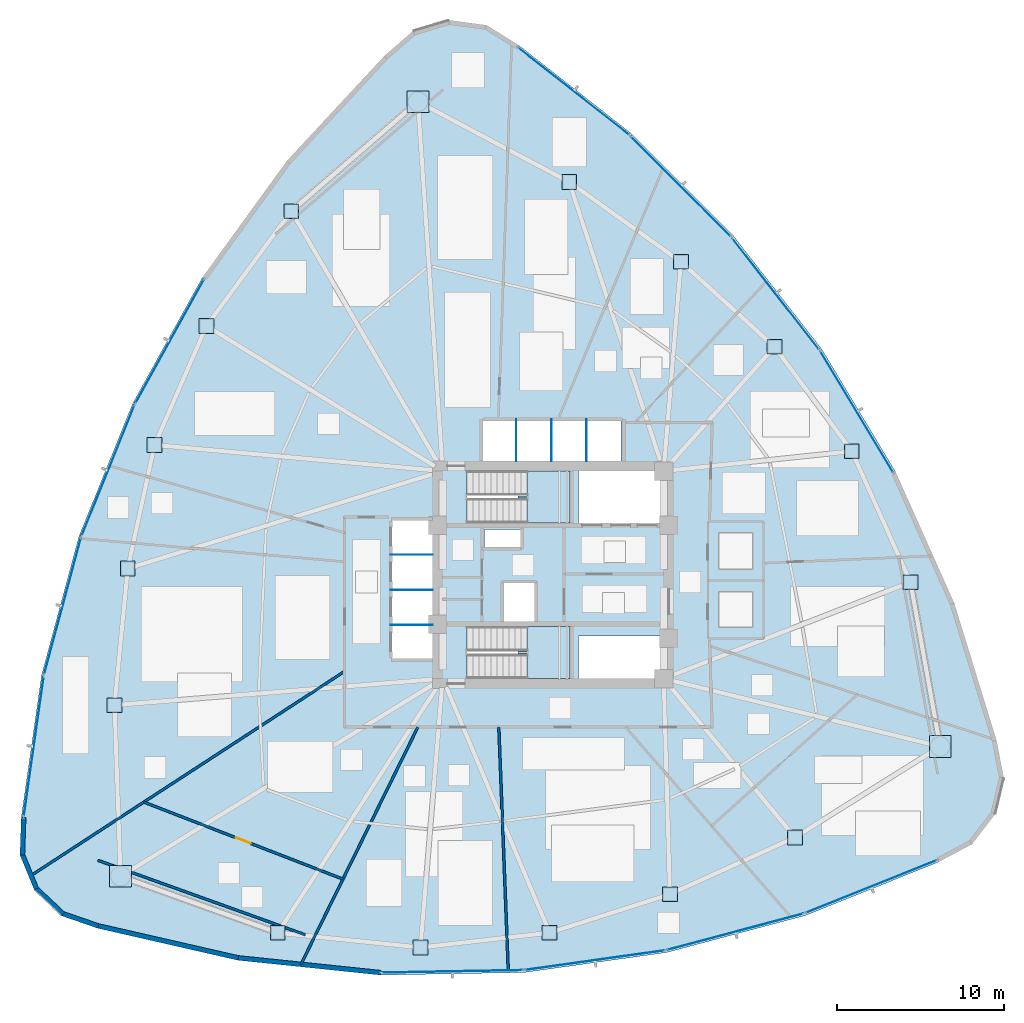
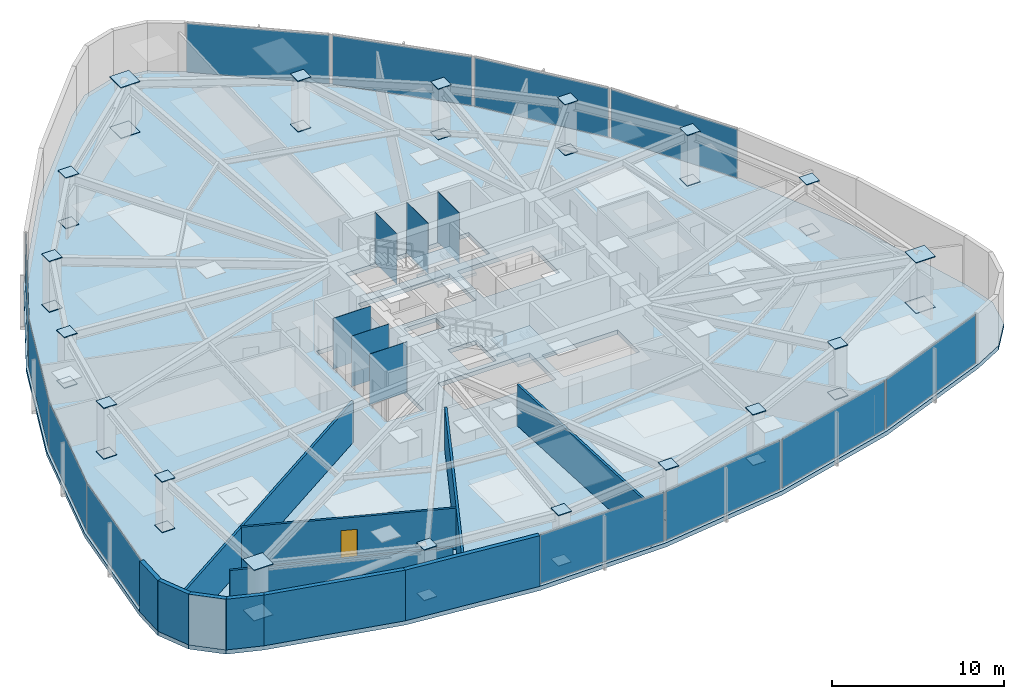
# One storey, part 10 of 17: 54 plates, 11 walls, 3 slabs, 1 door, 1 opening, 14 elements without a shape of their own.
"""IFC4 building model written with IfcOpenShell, lengths in metres."""

from ifc_helpers import new_model, si_unit, direction, frame, frame_2d, origin, origin_2d, place, context, subcontext, project, spatial, polyline, rectangle, outline, extrude, source, transform, mapped, material, layer, layer_set, type_object, type_shapes, element, fill, aggregate, save


model = new_model("IFC4")

# Units and contexts
model_context = context("Model", 3, precision=1e-05, world=origin(), true_north=direction((0.0, 1.0)))
body_context = subcontext(model_context, "Body", "Model", "MODEL_VIEW")
ifc_project = project(units=[si_unit("LENGTHUNIT", "METRE"), si_unit("AREAUNIT", "SQUARE_METRE"), si_unit("VOLUMEUNIT", "CUBIC_METRE"), si_unit("PLANEANGLEUNIT", "RADIAN"), si_unit("MASSUNIT", "GRAM", prefix="KILO")], contexts=[model_context])

# Site, building, storey
site_placement = place(None, origin())
site = spatial("IfcSite", under=ifc_project, at=site_placement, CompositionType="ELEMENT")
building_placement = place(site_placement, origin())
building = spatial("IfcBuilding", under=site, at=building_placement, Name="Tavelor Broadcast Tower", CompositionType="ELEMENT")
storey_placement = place(building_placement, frame((0.0, 0.0, 43.199951171875)))
storey = spatial("IfcBuildingStorey", under=building, at=storey_placement, Name="L09", CompositionType="ELEMENT", Elevation=43.199951171875)

# Stair, slab
ifc_material_1 = material(Name="Concrete C40/50", Category="concrete")
stair_type = type_object("IfcStairType", Name="Reinforced Concrete Protected Dogleg Stair 1450 mm", PredefinedType="HALF_TURN_STAIR", material=ifc_material_1)
stair_1_placement = place(storey_placement, origin())
stair_1 = element("IfcStair", 1, at=stair_1_placement, inside=storey, type_object=stair_type, Name="L09 Protected Core Exit Stair ST1", PredefinedType="HALF_TURN_STAIR")
ifc_layer_1 = layer(ifc_material_1, 0.199951171875)
ifc_layer_set_1 = layer_set([ifc_layer_1], Name="Concrete C40/50")
slab_type_1 = type_object("IfcSlabType", Name="Reinforced Concrete Stair Half-Landing Slab 200 mm", PredefinedType="LANDING", material=ifc_layer_set_1)
slab_1_placement = place(storey_placement, frame((0.0, 0.0, 1.75)))
slab_1 = element("IfcSlab", 2, at=slab_1_placement, type_object=slab_type_1, Name="ST1 landing 1", PredefinedType="LANDING", context=body_context, shape_type="SweptSolid", body=[
    extrude(outline(polyline([(48.445068359375, 49.590087890625), (48.445068359375, 48.094970703125), (51.0048828125, 48.094970703125), (51.0048828125, 51.205078125), (48.445068359375, 51.205078125), (48.445068359375, 49.7099609375), (47.905029296875, 49.7099609375), (47.905029296875, 49.590087890625), (48.445068359375, 49.590087890625)])), origin(), (0.0, 0.0, 1.0), 0.199951171875),
])
aggregate(stair_1, [slab_1])

stair_2_placement = place(storey_placement, origin())
stair_2 = element("IfcStair", 3, at=stair_2_placement, inside=storey, type_object=stair_type, Name="L09 Protected Core Exit Stair ST2", PredefinedType="HALF_TURN_STAIR")
slab_2_placement = place(storey_placement, frame((0.0, 0.0, 1.75)))
slab_2 = element("IfcSlab", 4, at=slab_2_placement, type_object=slab_type_1, Name="ST2 landing 1", PredefinedType="LANDING", context=body_context, shape_type="SweptSolid", body=[
    extrude(outline(polyline([(48.445068359375, 40.2900390625), (48.445068359375, 38.794921875), (51.0048828125, 38.794921875), (51.0048828125, 41.905029296875), (48.445068359375, 41.905029296875), (48.445068359375, 40.409912109375), (47.905029296875, 40.409912109375), (47.905029296875, 40.2900390625), (48.445068359375, 40.2900390625)])), origin(), (0.0, 0.0, 1.0), 0.199951171875),
])
aggregate(stair_2, [slab_2])

# Slab
ifc_layer_2 = layer(ifc_material_1, 0.300048828125)
ifc_layer_set_2 = layer_set([ifc_layer_2], Name="Concrete C40/50")
slab_type_2 = type_object("IfcSlabType", Name="Tower Composite Floor Slab 300 mm", PredefinedType="FLOOR", material=ifc_layer_set_2)
slab_3_placement = place(storey_placement, frame((0.0, 0.0, -0.300048828125)))
element("IfcSlab", 5, at=slab_3_placement, inside=storey, type_object=slab_type_2, Name="L09 Structural Floor Slab", PredefinedType="FLOOR", context=body_context, shape_type="SweptSolid", body=[
    extrude(outline(polyline([(47.941162109375, 76.641357421875), (46.02734375, 77.834716796875), (43.792236328125, 78.135009765625), (41.631591796875, 77.48876953125), (39.927978515625, 76.0107421875), (34.087158203125, 69.719970703125), (29.050537109375, 62.7685546875), (24.89208984375, 55.2587890625), (21.6728515625, 47.301025390625), (19.440185546875, 39.01220703125), (18.227294921875, 30.513916015625), (18.150390625, 28.260009765625), (19.008056640625, 26.174072265625), (20.648193359375, 24.6259765625), (22.77978515625, 23.889892578125), (31.148193359375, 21.976806640625), (39.686767578125, 21.090576171875), (48.26953125, 21.244140625), (56.77099609375, 22.43505859375), (65.065673828125, 24.646240234375), (73.03173828125, 27.8447265625), (75.022216796875, 28.9052734375), (76.399658203125, 30.69091796875), (76.92041015625, 32.88525390625), (76.491943359375, 35.099609375), (73.964599609375, 43.30322265625), (70.462890625, 51.140869140625), (66.038330078125, 58.4970703125), (60.75634765625, 65.263916015625), (54.694091796875, 71.341796875), (47.941162109375, 76.641357421875)]), holes=[polyline([(56.60009765625, 38.800048828125), (51.52001953125, 38.800048828125), (51.52001953125, 41.35009765625), (56.60009765625, 41.35009765625), (56.60009765625, 38.800048828125)]), polyline([(50.99609375, 38.803955078125), (44.85400390625, 38.803955078125), (44.85400390625, 41.89599609375), (50.99609375, 41.89599609375), (50.99609375, 38.803955078125)]), polyline([(47.050048828125, 42.199951171875), (47.050048828125, 44.550048828125), (48.949951171875, 44.550048828125), (48.949951171875, 42.199951171875), (47.050048828125, 42.199951171875)]), polyline([(40.35009765625, 40.0), (40.35009765625, 48.25), (42.800048828125, 48.25), (42.800048828125, 40.0), (40.35009765625, 40.0)]), polyline([(48.050048828125, 46.64990234375), (45.89990234375, 46.64990234375), (45.89990234375, 47.699951171875), (48.050048828125, 47.699951171875), (48.050048828125, 46.64990234375)]), polyline([(50.99609375, 48.10400390625), (44.85400390625, 48.10400390625), (44.85400390625, 51.196044921875), (50.99609375, 51.196044921875), (50.99609375, 48.10400390625)]), polyline([(56.60009765625, 48.10009765625), (51.52001953125, 48.10009765625), (51.52001953125, 51.199951171875), (56.60009765625, 51.199951171875), (56.60009765625, 48.10009765625)]), polyline([(54.050048828125, 51.800048828125), (45.800048828125, 51.800048828125), (45.800048828125, 54.25), (54.050048828125, 54.25), (54.050048828125, 51.800048828125)])]), origin(), (0.0, 0.0, 1.0), 0.300048828125),
])

# Plates
ifc_material_2 = material(Name="Steel S460", Category="steel")
ifc_layer_3 = layer(ifc_material_2, 0.050048828125)
ifc_layer_set_3 = layer_set([ifc_layer_3], Name="Steel S460")
plate_type_1 = type_object("IfcPlateType", Name="Tube Hollow-End Cap Plate KN05 700x700x50", PredefinedType="USERDEFINED", material=ifc_layer_set_3)
shared_shape_1 = source(origin(), body_context, "Body", "SweptSolid", [
    extrude(rectangle(XDim=1.299072265625, YDim=1.299072265625, at=origin_2d()), origin(), (0.0, 0.0, 1.0), 0.054931640625),
])
for number, where, z_axis, x_axis, name in (
    (6, (41.923095703125, 73.266357421875, -0.02734375), (0.0, 0.0, 1.0), (1.0, 0.0, 0.0), "L09 Hollow End Cap Plate KN05 #310"),
    (7, (41.923095703125, 73.266357421875, 3.57275390625), (0.0, 0.0, 1.0), (1.0, 0.0, 0.0), "L09 Hollow End Cap Plate KN05 #311"),
    (8, (24.1591796875, 26.98974609375, -0.02734375), (0.0, 0.0, 1.0), (1.0, 0.0, 0.0), "L09 Hollow End Cap Plate KN05 #322"),
    (9, (24.1591796875, 26.98974609375, 3.57275390625), (0.0, 0.0, 1.0), (1.0, 0.0, 0.0), "L09 Hollow End Cap Plate KN05 #323"),
    (10, (73.117919921875, 34.743896484375, -0.02734375), (0.0, 0.0, 1.0), (1.0, 0.0, 0.0), "L09 Hollow End Cap Plate KN05 #334"),
    (11, (73.117919921875, 34.743896484375, 3.57275390625), (0.0, 0.0, 1.0), (1.0, 0.0, 0.0), "L09 Hollow End Cap Plate KN05 #335"),
):
    element("IfcPlate", number, at=place(storey_placement, frame(where, z_axis=z_axis, x_axis=x_axis)), inside=storey, type_object=plate_type_1, Name=name, ObjectType="CAP PLATE", PredefinedType="USERDEFINED", context=body_context, shape_type="MappedRepresentation", body=[
        mapped(shared_shape_1, transform((0.0, 0.0, 0.0), scale=1.0)),
    ])
shared_shape_2 = source(origin(), body_context, "Body", "SweptSolid", [
    extrude(rectangle(XDim=0.8798828125, YDim=0.8798828125, at=origin_2d()), origin(), (0.0, 0.0, 1.0), 0.054931640625),
])
type_shapes(plate_type_1, [shared_shape_1, shared_shape_2])
for number, where, z_axis, x_axis, name in (
    (12, (34.356201171875, 66.727783203125, -0.02734375), (0.0, 0.0, 1.0), (1.0, 0.0, 0.0), "L09 Hollow End Cap Plate KN05 #312"),
    (13, (34.356201171875, 66.727783203125, 3.57275390625), (0.0, 0.0, 1.0), (1.0, 0.0, 0.0), "L09 Hollow End Cap Plate KN05 #313"),
    (14, (29.292236328125, 59.87158203125, -0.02734375), (0.0, 0.0, 1.0), (1.0, 0.0, 0.0), "L09 Hollow End Cap Plate KN05 #314"),
    (15, (29.292236328125, 59.87158203125, 3.57275390625), (0.0, 0.0, 1.0), (1.0, 0.0, 0.0), "L09 Hollow End Cap Plate KN05 #315"),
    (16, (26.189208984375, 52.75830078125, -0.02734375), (0.0, 0.0, 1.0), (1.0, 0.0, 0.0), "L09 Hollow End Cap Plate KN05 #316"),
    (17, (26.189208984375, 52.75830078125, 3.57275390625), (0.0, 0.0, 1.0), (1.0, 0.0, 0.0), "L09 Hollow End Cap Plate KN05 #317"),
    (18, (24.58984375, 45.380615234375, -0.02734375), (0.0, 0.0, 1.0), (1.0, 0.0, 0.0), "L09 Hollow End Cap Plate KN05 #318"),
    (19, (24.58984375, 45.380615234375, 3.57275390625), (0.0, 0.0, 1.0), (1.0, 0.0, 0.0), "L09 Hollow End Cap Plate KN05 #319"),
    (20, (23.794677734375, 37.21630859375, -0.02734375), (0.0, 0.0, 1.0), (1.0, 0.0, 0.0), "L09 Hollow End Cap Plate KN05 #320"),
    (21, (23.794677734375, 37.21630859375, 3.57275390625), (0.0, 0.0, 1.0), (1.0, 0.0, 0.0), "L09 Hollow End Cap Plate KN05 #321"),
    (22, (33.55078125, 23.615478515625, -0.02734375), (0.0, 0.0, 1.0), (1.0, 0.0, 0.0), "L09 Hollow End Cap Plate KN05 #324"),
    (23, (33.55078125, 23.615478515625, 3.57275390625), (0.0, 0.0, 1.0), (1.0, 0.0, 0.0), "L09 Hollow End Cap Plate KN05 #325"),
    (24, (42.0732421875, 22.740478515625, -0.02734375), (0.0, 0.0, 1.0), (1.0, 0.0, 0.0), "L09 Hollow End Cap Plate KN05 #326"),
    (25, (42.0732421875, 22.740478515625, 3.57275390625), (0.0, 0.0, 1.0), (1.0, 0.0, 0.0), "L09 Hollow End Cap Plate KN05 #327"),
    (26, (49.78662109375, 23.617919921875, -0.02734375), (0.0, 0.0, 1.0), (1.0, 0.0, 0.0), "L09 Hollow End Cap Plate KN05 #328"),
    (27, (49.78662109375, 23.617919921875, 3.57275390625), (0.0, 0.0, 1.0), (1.0, 0.0, 0.0), "L09 Hollow End Cap Plate KN05 #329"),
    (28, (56.975341796875, 25.92138671875, -0.02734375), (0.0, 0.0, 1.0), (1.0, 0.0, 0.0), "L09 Hollow End Cap Plate KN05 #330"),
    (29, (56.975341796875, 25.92138671875, 3.57275390625), (0.0, 0.0, 1.0), (1.0, 0.0, 0.0), "L09 Hollow End Cap Plate KN05 #331"),
    (30, (64.443603515625, 29.31494140625, -0.02734375), (0.0, 0.0, 1.0), (1.0, 0.0, 0.0), "L09 Hollow End Cap Plate KN05 #332"),
    (31, (64.443603515625, 29.31494140625, 3.57275390625), (0.0, 0.0, 1.0), (1.0, 0.0, 0.0), "L09 Hollow End Cap Plate KN05 #333"),
    (32, (71.343994140625, 44.564697265625, -0.02734375), (0.0, 0.0, 1.0), (1.0, 0.0, 0.0), "L09 Hollow End Cap Plate KN05 #336"),
    (33, (71.343994140625, 44.564697265625, 3.57275390625), (0.0, 0.0, 1.0), (1.0, 0.0, 0.0), "L09 Hollow End Cap Plate KN05 #337"),
    (34, (67.8408203125, 52.382568359375, -0.02734375), (0.0, 0.0, 1.0), (1.0, 0.0, 0.0), "L09 Hollow End Cap Plate KN05 #338"),
    (35, (67.8408203125, 52.382568359375, 3.57275390625), (0.0, 0.0, 1.0), (1.0, 0.0, 0.0), "L09 Hollow End Cap Plate KN05 #339"),
    (36, (63.22412109375, 58.623779296875, -0.02734375), (0.0, 0.0, 1.0), (1.0, 0.0, 0.0), "L09 Hollow End Cap Plate KN05 #340"),
    (37, (63.22412109375, 58.623779296875, 3.57275390625), (0.0, 0.0, 1.0), (1.0, 0.0, 0.0), "L09 Hollow End Cap Plate KN05 #341"),
    (38, (57.634765625, 63.69775390625, -0.02734375), (0.0, 0.0, 1.0), (1.0, 0.0, 0.0), "L09 Hollow End Cap Plate KN05 #342"),
    (39, (57.634765625, 63.69775390625, 3.57275390625), (0.0, 0.0, 1.0), (1.0, 0.0, 0.0), "L09 Hollow End Cap Plate KN05 #343"),
    (40, (50.9619140625, 68.468505859375, -0.02734375), (0.0, 0.0, 1.0), (1.0, 0.0, 0.0), "L09 Hollow End Cap Plate KN05 #344"),
    (41, (50.9619140625, 68.468505859375, 3.57275390625), (0.0, 0.0, 1.0), (1.0, 0.0, 0.0), "L09 Hollow End Cap Plate KN05 #345"),
):
    element("IfcPlate", number, at=place(storey_placement, frame(where, z_axis=z_axis, x_axis=x_axis)), inside=storey, type_object=plate_type_1, Name=name, ObjectType="CAP PLATE", PredefinedType="USERDEFINED", context=body_context, shape_type="MappedRepresentation", body=[
        mapped(shared_shape_2, transform((0.0, 0.0, 0.0), scale=1.0)),
    ])
ifc_material_3 = material(Name="Steel S355", Category="steel")
ifc_layer_4 = layer(ifc_material_3, 0.011962890625)
ifc_layer_set_4 = layer_set([ifc_layer_4], Name="Steel S355")
plate_type_2 = type_object("IfcPlateType", Name="Hoistway Steel Separator Screen 12 mm", PredefinedType="SHEET", material=ifc_layer_set_4)
shared_shape_3 = source(origin(), body_context, "Body", "SweptSolid", [
    extrude(rectangle(XDim=2.52001953125, YDim=0.02001953125, at=origin_2d()), origin(), (0.0, 0.0, 1.0), 3.60009765625),
])
for number, where, z_axis, x_axis, name in (
    (42, (41.56005859375, 42.0, 0.0), (0.0, 0.0, 1.0), (1.0, 0.0, 0.0), "L09 Low-Rise Hoistway Separator Screen 1"),
    (43, (41.56005859375, 44.10009765625, 0.0), (0.0, 0.0, 1.0), (1.0, 0.0, 0.0), "L09 Low-Rise Hoistway Separator Screen 2"),
    (44, (41.56005859375, 46.199951171875, 0.0), (0.0, 0.0, 1.0), (1.0, 0.0, 0.0), "L09 Low-Rise Hoistway Separator Screen 3"),
):
    element("IfcPlate", number, at=place(storey_placement, frame(where, z_axis=z_axis, x_axis=x_axis)), inside=storey, type_object=plate_type_2, Name=name, PredefinedType="SHEET", context=body_context, shape_type="MappedRepresentation", body=[
        mapped(shared_shape_3, transform((0.0, 0.0, 0.0), scale=1.0)),
    ])
shared_shape_4 = source(origin(), body_context, "Body", "SweptSolid", [
    extrude(rectangle(XDim=0.02001953125, YDim=2.52001953125, at=origin_2d()), origin(), (0.0, 0.0, 1.0), 3.60009765625),
])
type_shapes(plate_type_2, [shared_shape_3, shared_shape_4])
for number, where, z_axis, x_axis, name in (
    (45, (47.800048828125, 53.0400390625, 0.0), (0.0, 0.0, 1.0), (1.0, 0.0, 0.0), "L09 High-Rise Hoistway Separator Screen 1"),
    (46, (49.89990234375, 53.0400390625, 0.0), (0.0, 0.0, 1.0), (1.0, 0.0, 0.0), "L09 High-Rise Hoistway Separator Screen 2"),
    (47, (52.0, 53.0400390625, 0.0), (0.0, 0.0, 1.0), (1.0, 0.0, 0.0), "L09 High-Rise Hoistway Separator Screen 3"),
):
    element("IfcPlate", number, at=place(storey_placement, frame(where, z_axis=z_axis, x_axis=x_axis)), inside=storey, type_object=plate_type_2, Name=name, PredefinedType="SHEET", context=body_context, shape_type="MappedRepresentation", body=[
        mapped(shared_shape_4, transform((0.0, 0.0, 0.0), scale=1.0)),
    ])

# Curtain wall, plate
ifc_material_4 = material(Name="Architectural Anodized Aluminium", Category="aluminium")
ifc_layer_5 = layer(ifc_material_4, 0.179931640625)
ifc_layer_set_5 = layer_set([ifc_layer_5], Name="Architectural Anodized Aluminium")
curtain_wall_type = type_object("IfcCurtainWallType", Name="Tower Low-Zone Unitised Curtain Wall CW02", PredefinedType="NOTDEFINED", material=ifc_layer_set_5)
curtain_wall_1_placement = place(storey_placement, origin())
curtain_wall_1 = element("IfcCurtainWall", 48, at=curtain_wall_1_placement, inside=storey, type_object=curtain_wall_type, Name="L09 Curtain Wall CW02 Run 64", PredefinedType="NOTDEFINED")
ifc_material_5 = material(Name="Acoustic Double Glazing 28 mm", Category="glass")
ifc_layer_6 = layer(ifc_material_5, 0.028076171875)
ifc_layer_set_6 = layer_set([ifc_layer_6], Name="Acoustic Double Glazing 28 mm")
plate_type_3 = type_object("IfcPlateType", Name="CW02 Insulated Vision Glazing Panel 28 mm", PredefinedType="CURTAIN_PANEL", material=ifc_layer_set_6)
shared_shape_5 = source(origin(), body_context, "Body", "SweptSolid", [
    extrude(rectangle(XDim=8.42333984375, YDim=0.028076171875, at=origin_2d()), origin(), (0.0, 0.0, 1.0), 3.469970703125),
])
plate_1_placement = place(storey_placement, frame((18.97119140625, 34.7353515625, 0.06494140625), z_axis=(0.0, 0.0, 1.0), x_axis=(-0.141313327343, -0.989964920346, 0.0)))
plate_1 = element("IfcPlate", 49, at=plate_1_placement, type_object=plate_type_3, Name="CW02 panel 1.1", PredefinedType="CURTAIN_PANEL", context=body_context, shape_type="MappedRepresentation", body=[
    mapped(shared_shape_5, transform((0.0, 0.0, 0.0), scale=1.0)),
])
aggregate(curtain_wall_1, [plate_1])

curtain_wall_2_placement = place(storey_placement, origin())
curtain_wall_2 = element("IfcCurtainWall", 50, at=curtain_wall_2_placement, inside=storey, type_object=curtain_wall_type, Name="L09 Curtain Wall CW02 Run 72", PredefinedType="NOTDEFINED")
plate_2_placement = place(storey_placement, frame((51.224853515625, 73.886474609375, 0.06494140625), z_axis=(0.0, 0.0, 1.0), x_axis=(-0.786683734731, 0.617356219302, 0.0)))
plate_2 = element("IfcPlate", 51, at=plate_2_placement, type_object=plate_type_3, Name="CW02 panel 1.1", PredefinedType="CURTAIN_PANEL", context=body_context, shape_type="MappedRepresentation", body=[
    mapped(shared_shape_5, transform((0.0, 0.0, 0.0), scale=1.0)),
])
aggregate(curtain_wall_2, [plate_2])

curtain_wall_3_placement = place(storey_placement, origin())
curtain_wall_3 = element("IfcCurtainWall", 52, at=curtain_wall_3_placement, inside=storey, type_object=curtain_wall_type, Name="L09 Curtain Wall CW02 Run 68", PredefinedType="NOTDEFINED")
shared_shape_6 = source(origin(), body_context, "Body", "SweptSolid", [
    extrude(rectangle(XDim=8.423095703125, YDim=0.028076171875, at=origin_2d()), origin(), (0.0, 0.0, 1.0), 3.469970703125),
])
plate_3_placement = place(storey_placement, frame((69.00390625, 26.37841796875, 0.06494140625), z_axis=(0.0, 0.0, 1.0), x_axis=(0.927992924042, 0.372597816591, 0.0)))
plate_3 = element("IfcPlate", 53, at=plate_3_placement, type_object=plate_type_3, Name="CW02 panel 1.1", PredefinedType="CURTAIN_PANEL", context=body_context, shape_type="MappedRepresentation", body=[
    mapped(shared_shape_6, transform((0.0, 0.0, 0.0), scale=1.0)),
])
aggregate(curtain_wall_3, [plate_3])

curtain_wall_4_placement = place(storey_placement, origin())
curtain_wall_4 = element("IfcCurtainWall", 54, at=curtain_wall_4_placement, inside=storey, type_object=curtain_wall_type, Name="L09 Curtain Wall CW02 Run 61", PredefinedType="NOTDEFINED")
shared_shape_7 = source(origin(), body_context, "Body", "SweptSolid", [
    extrude(rectangle(XDim=8.42236328125, YDim=0.028076171875, at=origin_2d()), origin(), (0.0, 0.0, 1.0), 3.469970703125),
])
plate_4_placement = place(storey_placement, frame((27.097412109375, 58.952392578125, 0.06494140625), z_axis=(0.0, 0.0, 1.0), x_axis=(-0.484431271013, -0.874829322591, 0.0)))
plate_4 = element("IfcPlate", 55, at=plate_4_placement, type_object=plate_type_3, Name="CW02 panel 1.1", PredefinedType="CURTAIN_PANEL", context=body_context, shape_type="MappedRepresentation", body=[
    mapped(shared_shape_7, transform((0.0, 0.0, 0.0), scale=1.0)),
])
aggregate(curtain_wall_4, [plate_4])

curtain_wall_5_placement = place(storey_placement, origin())
curtain_wall_5 = element("IfcCurtainWall", 56, at=curtain_wall_5_placement, inside=storey, type_object=curtain_wall_type, Name="L09 Curtain Wall CW02 Run 65", PredefinedType="NOTDEFINED")
plate_5_placement = place(storey_placement, frame((43.96826171875, 21.30712890625, 0.06494140625), z_axis=(0.0, 0.0, 1.0), x_axis=(0.999839961326, 0.017889989842, 0.0)))
plate_5 = element("IfcPlate", 57, at=plate_5_placement, type_object=plate_type_3, Name="CW02 panel 1.1", PredefinedType="CURTAIN_PANEL", context=body_context, shape_type="MappedRepresentation", body=[
    mapped(shared_shape_7, transform((0.0, 0.0, 0.0), scale=1.0)),
])
aggregate(curtain_wall_5, [plate_5])

curtain_wall_6_placement = place(storey_placement, origin())
curtain_wall_6 = element("IfcCurtainWall", 58, at=curtain_wall_6_placement, inside=storey, type_object=curtain_wall_type, Name="L09 Curtain Wall CW02 Run 69", PredefinedType="NOTDEFINED")
plate_6_placement = place(storey_placement, frame((68.134521484375, 54.740234375, 0.06494140625), z_axis=(0.0, 0.0, 1.0), x_axis=(-0.51540337231, 0.856947701911, 0.0)))
plate_6 = element("IfcPlate", 59, at=plate_6_placement, type_object=plate_type_3, Name="CW02 panel 1.1", PredefinedType="CURTAIN_PANEL", context=body_context, shape_type="MappedRepresentation", body=[
    mapped(shared_shape_7, transform((0.0, 0.0, 0.0), scale=1.0)),
])
aggregate(curtain_wall_6, [plate_6])

curtain_wall_7_placement = place(storey_placement, origin())
curtain_wall_7 = element("IfcCurtainWall", 60, at=curtain_wall_7_placement, inside=storey, type_object=curtain_wall_type, Name="L09 Curtain Wall CW02 Run 62", PredefinedType="NOTDEFINED")
shared_shape_8 = source(origin(), body_context, "Body", "SweptSolid", [
    extrude(rectangle(XDim=8.4072265625, YDim=0.028076171875, at=origin_2d()), origin(), (0.0, 0.0, 1.0), 3.469970703125),
])
plate_7_placement = place(storey_placement, frame((23.412109375, 51.227294921875, 0.06494140625), z_axis=(0.0, 0.0, 1.0), x_axis=(-0.375014945096, -0.927018765158, 0.0)))
plate_7 = element("IfcPlate", 61, at=plate_7_placement, type_object=plate_type_3, Name="CW02 panel 1.1", PredefinedType="CURTAIN_PANEL", context=body_context, shape_type="MappedRepresentation", body=[
    mapped(shared_shape_8, transform((0.0, 0.0, 0.0), scale=1.0)),
])
aggregate(curtain_wall_7, [plate_7])

curtain_wall_8_placement = place(storey_placement, origin())
curtain_wall_8 = element("IfcCurtainWall", 62, at=curtain_wall_8_placement, inside=storey, type_object=curtain_wall_type, Name="L09 Curtain Wall CW02 Run 63", PredefinedType="NOTDEFINED")
plate_8_placement = place(storey_placement, frame((20.691650390625, 43.1201171875, 0.06494140625), z_axis=(0.0, 0.0, 1.0), x_axis=(-0.260071347183, -0.96558940258, 0.0)))
plate_8 = element("IfcPlate", 63, at=plate_8_placement, type_object=plate_type_3, Name="CW02 panel 1.1", PredefinedType="CURTAIN_PANEL", context=body_context, shape_type="MappedRepresentation", body=[
    mapped(shared_shape_8, transform((0.0, 0.0, 0.0), scale=1.0)),
])
aggregate(curtain_wall_8, [plate_8])

curtain_wall_9_placement = place(storey_placement, origin())
curtain_wall_9 = element("IfcCurtainWall", 64, at=curtain_wall_9_placement, inside=storey, type_object=curtain_wall_type, Name="L09 Curtain Wall CW02 Run 66", PredefinedType="NOTDEFINED")
plate_9_placement = place(storey_placement, frame((52.500732421875, 21.978271484375, 0.06494140625), z_axis=(0.0, 0.0, 1.0), x_axis=(0.990328199688, 0.138744574318, 0.0)))
plate_9 = element("IfcPlate", 65, at=plate_9_placement, type_object=plate_type_3, Name="CW02 panel 1.1", PredefinedType="CURTAIN_PANEL", context=body_context, shape_type="MappedRepresentation", body=[
    mapped(shared_shape_8, transform((0.0, 0.0, 0.0), scale=1.0)),
])
aggregate(curtain_wall_9, [plate_9])

curtain_wall_10_placement = place(storey_placement, origin())
curtain_wall_10 = element("IfcCurtainWall", 66, at=curtain_wall_10_placement, inside=storey, type_object=curtain_wall_type, Name="L09 Curtain Wall CW02 Run 70", PredefinedType="NOTDEFINED")
plate_10_placement = place(storey_placement, frame((63.287109375, 61.79443359375, 0.06494140625), z_axis=(0.0, 0.0, 1.0), x_axis=(-0.615325536413, 0.788273102572, 0.0)))
plate_10 = element("IfcPlate", 67, at=plate_10_placement, type_object=plate_type_3, Name="CW02 panel 1.1", PredefinedType="CURTAIN_PANEL", context=body_context, shape_type="MappedRepresentation", body=[
    mapped(shared_shape_8, transform((0.0, 0.0, 0.0), scale=1.0)),
])
aggregate(curtain_wall_10, [plate_10])

curtain_wall_11_placement = place(storey_placement, origin())
curtain_wall_11 = element("IfcCurtainWall", 68, at=curtain_wall_11_placement, inside=storey, type_object=curtain_wall_type, Name="L09 Curtain Wall CW02 Run 71", PredefinedType="NOTDEFINED")
plate_11_placement = place(storey_placement, frame((57.626220703125, 68.2041015625, 0.06494140625), z_axis=(0.0, 0.0, 1.0), x_axis=(-0.706186684685, 0.708025682001, 0.0)))
plate_11 = element("IfcPlate", 69, at=plate_11_placement, type_object=plate_type_3, Name="CW02 panel 1.1", PredefinedType="CURTAIN_PANEL", context=body_context, shape_type="MappedRepresentation", body=[
    mapped(shared_shape_8, transform((0.0, 0.0, 0.0), scale=1.0)),
])
aggregate(curtain_wall_11, [plate_11])

curtain_wall_12_placement = place(storey_placement, origin())
curtain_wall_12 = element("IfcCurtainWall", 70, at=curtain_wall_12_placement, inside=storey, type_object=curtain_wall_type, Name="L09 Curtain Wall CW02 Run 67", PredefinedType="NOTDEFINED")
shared_shape_9 = source(origin(), body_context, "Body", "SweptSolid", [
    extrude(rectangle(XDim=8.407470703125, YDim=0.028076171875, at=origin_2d()), origin(), (0.0, 0.0, 1.0), 3.469970703125),
])
type_shapes(plate_type_3, [shared_shape_5, shared_shape_6, shared_shape_7, shared_shape_8, shared_shape_9])
plate_12_placement = place(storey_placement, frame((60.882080078125, 23.67578125, 0.06494140625), z_axis=(0.0, 0.0, 1.0), x_axis=(0.966258653564, 0.257573706756, 0.0)))
plate_12 = element("IfcPlate", 71, at=plate_12_placement, type_object=plate_type_3, Name="CW02 panel 1.1", PredefinedType="CURTAIN_PANEL", context=body_context, shape_type="MappedRepresentation", body=[
    mapped(shared_shape_9, transform((0.0, 0.0, 0.0), scale=1.0)),
])
aggregate(curtain_wall_12, [plate_12])

# Walls
ifc_material_6 = material(Name="Precast Concrete C40/50", Category="concrete")
ifc_layer_7 = layer(ifc_material_6, 0.280029296875)
ifc_layer_set_7 = layer_set([ifc_layer_7], Name="Precast Concrete C40/50")
wall_type_1 = type_object("IfcWallType", Name="Insulated Precast Terracotta Facade Wall 280 mm", PredefinedType="STANDARD", material=ifc_layer_set_7)
wall_1_placement = place(storey_placement, frame((18.366943359375, 30.505615234375, 0.0), z_axis=(0.0, 0.0, 1.0), x_axis=(-0.033947220184, -0.999423627018, 0.0)))
element("IfcWall", 72, at=wall_1_placement, inside=storey, type_object=wall_type_1, Name="L09 Rounded Corner Structural Cladding Pier 11", PredefinedType="STANDARD", context=body_context, shape_type="SweptSolid", body=[
    extrude(rectangle(XDim=2.236572265625, YDim=0.280029296875, at=frame_2d((1.1181640625, 0.0))), origin(), (0.0, 0.0, 1.0), 3.60009765625),
])
wall_2_placement = place(storey_placement, frame((18.28564453125, 28.299072265625, 0.0), z_axis=(0.0, 0.0, 1.0), x_axis=(0.380302749829, -0.924862053753, 0.0)))
element("IfcWall", 73, at=wall_2_placement, inside=storey, type_object=wall_type_1, Name="L09 Rounded Corner Structural Cladding Pier 12", PredefinedType="STANDARD", context=body_context, shape_type="SweptSolid", body=[
    extrude(rectangle(XDim=2.22509765625, YDim=0.280029296875, at=frame_2d((1.112548828125, 0.0))), origin(), (0.0, 0.0, 1.0), 3.60009765625),
])
wall_3_placement = place(storey_placement, frame((19.115234375, 26.265380859375, 0.0), z_axis=(0.0, 0.0, 1.0), x_axis=(0.72716832858, -0.68645919173, 0.0)))
element("IfcWall", 74, at=wall_3_placement, inside=storey, type_object=wall_type_1, Name="L09 Rounded Corner Structural Cladding Pier 13", PredefinedType="STANDARD", context=body_context, shape_type="SweptSolid", body=[
    extrude(rectangle(XDim=2.224853515625, YDim=0.280029296875, at=frame_2d((1.1123046875, 0.0))), origin(), (0.0, 0.0, 1.0), 3.60009765625),
])
wall_4_placement = place(storey_placement, frame((20.7080078125, 24.75341796875, 0.0), z_axis=(0.0, 0.0, 1.0), x_axis=(0.945228598379, -0.326409094246, 0.0)))
element("IfcWall", 75, at=wall_4_placement, inside=storey, type_object=wall_type_1, Name="L09 Rounded Corner Structural Cladding Pier 14", PredefinedType="STANDARD", context=body_context, shape_type="SweptSolid", body=[
    extrude(rectangle(XDim=2.24755859375, YDim=0.280029296875, at=frame_2d((1.123779296875, 0.0))), origin(), (0.0, 0.0, 1.0), 3.60009765625),
])
wall_5_placement = place(storey_placement, frame((22.8037109375, 24.02783203125, 0.0), z_axis=(0.0, 0.0, 1.0), x_axis=(0.974855686906, -0.222837137181, 0.0)))
element("IfcWall", 76, at=wall_5_placement, inside=storey, type_object=wall_type_1, Name="L09 Rounded Corner Structural Cladding Pier 15", PredefinedType="STANDARD", context=body_context, shape_type="SweptSolid", body=[
    extrude(rectangle(XDim=8.598388671875, YDim=0.280029296875, at=frame_2d((4.29931640625, 0.0))), origin(), (0.0, 0.0, 1.0), 3.60009765625),
])
wall_6_placement = place(storey_placement, frame((31.15625, 22.11669921875, 0.0), z_axis=(0.0, 0.0, 1.0), x_axis=(0.994656310242, -0.103241583171, 0.0)))
element("IfcWall", 77, at=wall_6_placement, inside=storey, type_object=wall_type_1, Name="L09 Rounded Corner Structural Cladding Pier 16", PredefinedType="STANDARD", context=body_context, shape_type="SweptSolid", body=[
    extrude(rectangle(XDim=8.58642578125, YDim=0.280029296875, at=frame_2d((4.293212890625, 0.0))), origin(), (0.0, 0.0, 1.0), 3.60009765625),
])
ifc_material_7 = material(Name="Gypsum Acoustic Plasterboard 150 mm", Category="gypsum")
ifc_layer_8 = layer(ifc_material_7, 0.14990234375)
ifc_layer_set_8 = layer_set([ifc_layer_8], Name="Gypsum Acoustic Plasterboard 150 mm")
wall_type_2 = type_object("IfcWallType", Name="Interior Acoustic Partition Wall 150 mm", PredefinedType="PARTITIONING", material=ifc_layer_set_8)
wall_7_placement = place(storey_placement, frame((22.802001953125, 27.94482421875, 0.0), z_axis=(0.0, 0.0, 1.0), x_axis=(0.941102349209, -0.338121824662, 0.0)))
element("IfcWall", 78, at=wall_7_placement, inside=storey, type_object=wall_type_2, Name="L09 Corner Tube Brace Furring Wall 2", PredefinedType="PARTITIONING", context=body_context, shape_type="SweptSolid", body=[
    extrude(rectangle(XDim=13.1796875, YDim=0.14990234375, at=frame_2d((6.58984375, 0.0))), origin(), (0.0, 0.0, 1.0), 2.925048828125),
])
wall_8_placement = place(storey_placement, frame((37.550048828125, 39.238037109375, 0.0), z_axis=(0.0, 0.0, 1.0), x_axis=(-0.838030337593, -0.545623637019, 0.0)))
element("IfcWall", 79, at=wall_8_placement, inside=storey, type_object=wall_type_2, Name="L09 Radial Compartment Wall 06", PredefinedType="PARTITIONING", context=body_context, shape_type="SweptSolid", body=[
    extrude(rectangle(XDim=22.377197265625, YDim=0.14990234375, at=frame_2d((11.1884765625, 0.0))), origin(), (0.0, 0.0, 1.0), 2.925048828125),
])
wall_9_placement = place(storey_placement, frame((41.916015625, 35.89990234375, 0.0), z_axis=(0.0, 0.0, 1.0), x_axis=(-0.442006147161, -0.89701202103, 0.0)))
element("IfcWall", 80, at=wall_9_placement, inside=storey, type_object=wall_type_2, Name="L09 Radial Compartment Wall 07", PredefinedType="PARTITIONING", context=body_context, shape_type="SweptSolid", body=[
    extrude(rectangle(XDim=15.813232421875, YDim=0.14990234375, at=frame_2d((7.90673828125, 0.0))), origin(), (0.0, 0.0, 1.0), 2.97509765625),
])
wall_10_placement = place(storey_placement, frame((46.75341796875, 35.89990234375, 0.0), z_axis=(0.0, 0.0, 1.0), x_axis=(0.038834483787, -0.999245656918, 0.0)))
element("IfcWall", 81, at=wall_10_placement, inside=storey, type_object=wall_type_2, Name="L09 Radial Compartment Wall 08", PredefinedType="PARTITIONING", context=body_context, shape_type="SweptSolid", body=[
    extrude(rectangle(XDim=14.5537109375, YDim=0.14990234375, at=frame_2d((7.27685546875, 0.0))), origin(), (0.0, 0.0, 1.0), 2.925048828125),
])

# Wall, opening, door
wall_11_placement = place(storey_placement, frame((25.54833984375, 31.423828125, 0.0), z_axis=(0.0, 0.0, 1.0), x_axis=(0.932625879007, -0.360844800166, 0.0)))
wall_11 = element("IfcWall", 82, at=wall_11_placement, inside=storey, type_object=wall_type_2, Name="L09 Suite Chord Partition Wall 01", PredefinedType="PARTITIONING", context=body_context, shape_type="SweptSolid", body=[
    extrude(rectangle(XDim=12.753662109375, YDim=0.14990234375, at=frame_2d((6.376953125, 0.0))), origin(), (0.0, 0.0, 1.0), 2.925048828125),
])
opening_placement = place(wall_11_placement, frame((5.90185546875, 0.0, 0.0)))
opening = element("IfcOpeningElement", 83, at=opening_placement, cuts=wall_11, Name="Opening DR23", PredefinedType="OPENING", context=body_context, shape_type="SweptSolid", body=[
    extrude(rectangle(XDim=0.949951171875, YDim=2.050048828125, at=frame_2d((0.47509765625, 1.02490234375))), frame((0.0, 0.0849609375, 0.0), z_axis=(0.0, -1.0, 0.0), x_axis=(1.0, 0.0, 0.0)), (0.0, 0.0, 1.0), 0.169921875),
])
ifc_material_8 = material(Name="Timber Solid Core Hardwood", Category="wood")
door_type = type_object("IfcDoorType", Name="Editorial Room Acoustic Door 950x2050", OperationType="NOTDEFINED", PredefinedType="DOOR", material=ifc_material_8)
door_placement = place(opening_placement, origin())
door = element("IfcDoor", 84, at=door_placement, inside=storey, type_object=door_type, Name="L09 Outer Suite Partition Door 1", OperationType="SINGLE_SWING_RIGHT", OverallHeight=2.050048828125, OverallWidth=0.949951171875, PredefinedType="DOOR", context=body_context, shape_type="SweptSolid", body=[
    extrude(rectangle(XDim=0.949951171875, YDim=2.050048828125, at=frame_2d((0.47509765625, 1.02490234375))), frame((0.0, 0.02490234375, 0.0), z_axis=(0.0, -1.0, 0.0), x_axis=(1.0, 0.0, 0.0)), (0.0, 0.0, 1.0), 0.050048828125),
])
fill(opening, door)

save(model, "model.ifc")
